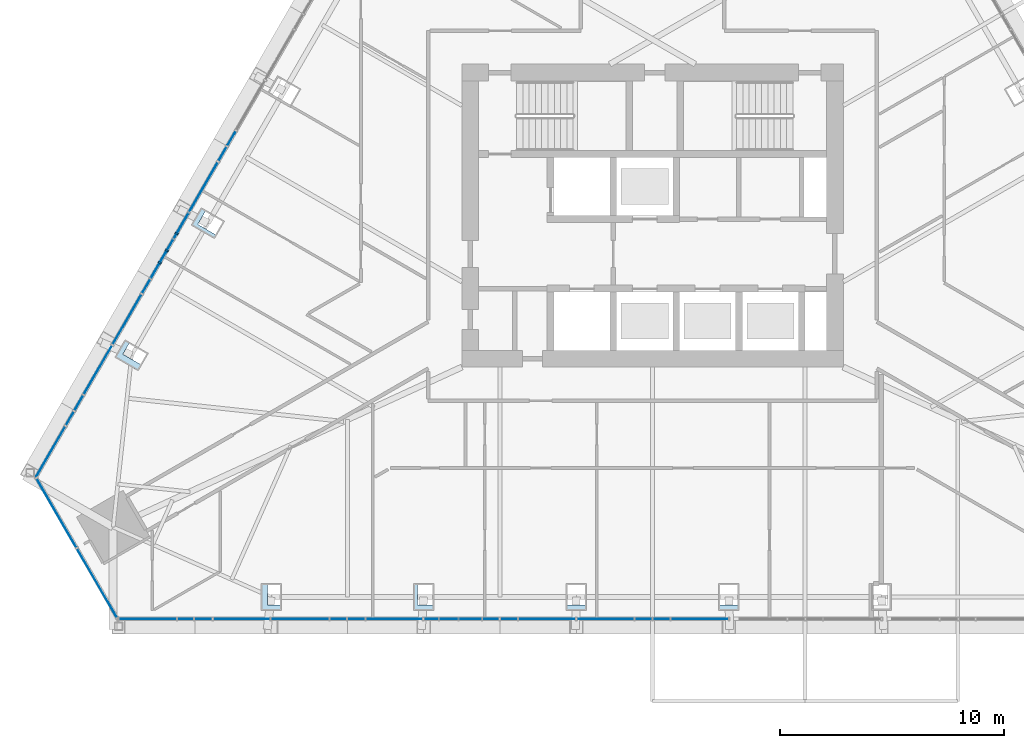
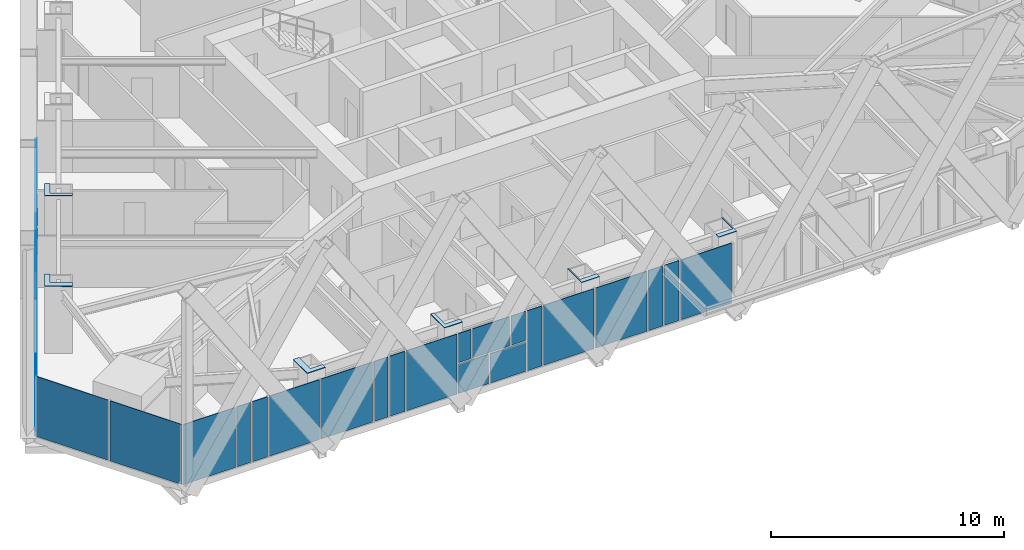
# One storey, part 13 of 24: 43 plates, 3 members, 3 elements without a shape of their own.
"""IFC4 building model written with IfcOpenShell, lengths in metres."""

from ifc_helpers import new_model, si_unit, direction, frame, origin, origin_2d, place, context, subcontext, project, spatial, polyline, rectangle, outline, extrude, material, layer, layer_set, material_profile, profile_set, type_object, element, aggregate, save


model = new_model("IFC4")

# Units and contexts
model_context = context("Model", 3, precision=1e-05, world=origin(), true_north=direction((0.0, 1.0)))
body_context = subcontext(model_context, "Body", "Model", "MODEL_VIEW")
ifc_project = project(units=[si_unit("LENGTHUNIT", "METRE"), si_unit("AREAUNIT", "SQUARE_METRE"), si_unit("VOLUMEUNIT", "CUBIC_METRE"), si_unit("PLANEANGLEUNIT", "RADIAN"), si_unit("MASSUNIT", "GRAM", prefix="KILO")], contexts=[model_context])

# Site, building, storey
site_placement = place(None, origin())
site = spatial("IfcSite", under=ifc_project, at=site_placement, CompositionType="ELEMENT")
building_placement = place(site_placement, origin())
building = spatial("IfcBuilding", under=site, at=building_placement, Name="Firuza Gate Tower and Library", CompositionType="ELEMENT")
storey_placement = place(building_placement, frame((0.0, 0.0, 260.10009765625)))
storey = spatial("IfcBuildingStorey", under=building, at=storey_placement, Name="L61", CompositionType="ELEMENT", Elevation=260.10009765625)

# Curtain wall, members
ifc_material_1 = material(Name="Aluminium 6063-T6", Category="aluminium")
ifc_layer_1 = layer(ifc_material_1, 0.14990234375)
ifc_layer_set_1 = layer_set([ifc_layer_1], Name="Unitised curtain wall, residences")
curtain_wall_type_1 = type_object("IfcCurtainWallType", Name="Unitised curtain wall, residences", PredefinedType="NOTDEFINED", material=ifc_layer_set_1)
placement_1 = place(storey_placement, origin())
curtain_wall_1 = element("IfcCurtainWall", 1, at=placement_1, inside=storey, type_object=curtain_wall_type_1, Name="CW3 L61 W face", PredefinedType="NOTDEFINED")
ifc_material_2 = material(Name="Aluminium 6063-T6", Category="aluminium")
ifc_material_profile = material_profile(ifc_material_2, rectangle(XDim=0.14990234375, YDim=0.080078125, at=origin_2d()))
ifc_profile_set = profile_set([ifc_material_profile], Name="Aluminium 6063-T6")
member_type = type_object("IfcMemberType", Name="Curtain wall mullion 80x150", PredefinedType="MULLION", material=ifc_profile_set)
member_1_placement = place(storey_placement, frame((53.347900390625, 73.443359375, 1.489990234375), z_axis=(0.0, 0.0, 1.0), x_axis=(0.866025403784, -0.5, 0.0)))
member_1 = element("IfcMember", 2, at=member_1_placement, type_object=member_type, Name="Mullion", PredefinedType="MULLION", context=body_context, shape_type="SweptSolid", body=[
    extrude(rectangle(XDim=0.14990234375, YDim=0.080078125, at=origin_2d()), origin(), (0.0, 0.0, 1.0), 0.844970703125),
])
member_2_placement = place(storey_placement, frame((53.783935546875, 74.198486328125, 2.414794921875), z_axis=(0.0, 0.0, 1.0), x_axis=(0.866025403784, -0.5, 0.0)))
member_2 = element("IfcMember", 3, at=member_2_placement, type_object=member_type, Name="Mullion", PredefinedType="MULLION", context=body_context, shape_type="SweptSolid", body=[
    extrude(rectangle(XDim=0.14990234375, YDim=0.080078125, at=origin_2d()), origin(), (0.0, 0.0, 1.0), 0.885009765625),
])
member_3_placement = place(storey_placement, frame((53.035400390625, 72.902099609375, 2.414794921875), z_axis=(0.0, 0.0, 1.0), x_axis=(0.866025403784, -0.5, 0.0)))
member_3 = element("IfcMember", 4, at=member_3_placement, type_object=member_type, Name="Mullion", PredefinedType="MULLION", context=body_context, shape_type="SweptSolid", body=[
    extrude(rectangle(XDim=0.14990234375, YDim=0.080078125, at=origin_2d()), origin(), (0.0, 0.0, 1.0), 0.885009765625),
])

# Plates
ifc_material_3 = material(Name="Steel S355", Category="steel")
ifc_layer_2 = layer(ifc_material_3, 0.030029296875)
ifc_layer_set_2 = layer_set([ifc_layer_2], Name="Column infill plate 30 Steel S355")
plate_type_1 = type_object("IfcPlateType", Name="Column infill plate 30 Steel S355", PredefinedType="SHEET", material=ifc_layer_set_2)
placement_2 = place(storey_placement, frame((0.0, 0.0, 3.5)))
element("IfcPlate", 5, at=placement_2, inside=storey, type_object=plate_type_1, Name="Infill plate L61:S1", PredefinedType="SHEET", context=body_context, shape_type="SweptSolid", body=[
    extrude(outline(polyline([(58.449951171875, 57.402099609375), (58.449951171875, 57.63916015625), (57.84326171875, 57.63916015625), (57.84326171875, 58.60205078125), (57.550048828125, 58.60205078125), (57.550048828125, 57.402099609375), (58.449951171875, 57.402099609375)])), origin(), (0.0, 0.0, 1.0), 0.02978515625),
])
element("IfcPlate", 6, at=placement_2, inside=storey, type_object=plate_type_1, Name="Infill plate L61:S2", PredefinedType="SHEET", context=body_context, shape_type="SweptSolid", body=[
    extrude(outline(polyline([(65.25, 57.402099609375), (65.25, 57.63916015625), (64.52587890625, 57.63916015625), (64.52587890625, 58.60205078125), (64.35009765625, 58.60205078125), (64.35009765625, 57.402099609375), (65.25, 57.402099609375)])), origin(), (0.0, 0.0, 1.0), 0.02978515625),
])
element("IfcPlate", 7, at=placement_2, inside=storey, type_object=plate_type_1, Name="Infill plate L61:S3", PredefinedType="SHEET", context=body_context, shape_type="SweptSolid", body=[
    extrude(outline(polyline([(72.050048828125, 57.402099609375), (72.050048828125, 57.63916015625), (71.208740234375, 57.63916015625), (71.208740234375, 58.60205078125), (71.14990234375, 58.60205078125), (71.14990234375, 57.402099609375), (72.050048828125, 57.402099609375)])), origin(), (0.0, 0.0, 1.0), 0.02978515625),
])
element("IfcPlate", 8, at=placement_2, inside=storey, type_object=plate_type_1, Name="Infill plate L61:S4", PredefinedType="SHEET", context=body_context, shape_type="SweptSolid", body=[
    extrude(outline(polyline([(78.85009765625, 58.60205078125), (78.791259765625, 58.60205078125), (78.791259765625, 57.63916015625), (77.949951171875, 57.63916015625), (77.949951171875, 57.402099609375), (78.85009765625, 57.402099609375), (78.85009765625, 58.60205078125)])), origin(), (0.0, 0.0, 1.0), 0.02978515625),
])
element("IfcPlate", 9, at=placement_2, inside=storey, type_object=plate_type_1, Name="Infill plate L61:W5", PredefinedType="SHEET", context=body_context, shape_type="SweptSolid", body=[
    extrude(outline(polyline([(55.47412109375, 73.975830078125), (55.56201171875, 74.128173828125), (54.72802734375, 74.609619140625), (55.090087890625, 75.236572265625), (54.884765625, 75.355224609375), (54.434814453125, 74.57568359375), (55.47412109375, 73.975830078125)])), origin(), (0.0, 0.0, 1.0), 0.02978515625),
])
element("IfcPlate", 10, at=placement_2, inside=storey, type_object=plate_type_1, Name="Infill plate L61:W6", PredefinedType="SHEET", context=body_context, shape_type="SweptSolid", body=[
    extrude(outline(polyline([(52.073974609375, 68.086669921875), (52.220703125, 68.3408203125), (51.38671875, 68.822265625), (51.690185546875, 69.34765625), (51.48486328125, 69.46630859375), (51.034912109375, 68.686767578125), (52.073974609375, 68.086669921875)])), origin(), (0.0, 0.0, 1.0), 0.02978515625),
])

# Curtain wall, plates
ifc_material_4 = material(Name="Aluminium 6063-T6", Category="aluminium")
ifc_layer_3 = layer(ifc_material_4, 0.14990234375)
ifc_layer_set_3 = layer_set([ifc_layer_3], Name="Corner curtain wall, chamfers")
curtain_wall_type_2 = type_object("IfcCurtainWallType", Name="Corner curtain wall, chamfers", PredefinedType="NOTDEFINED", material=ifc_layer_set_3)
curtain_wall_2 = element("IfcCurtainWall", 11, at=placement_1, inside=storey, type_object=curtain_wall_type_2, Name="CW4 L61 SW corner", PredefinedType="NOTDEFINED")
ifc_material_5 = material(Name="Fritted glass", Category="glass")
ifc_layer_4 = layer(ifc_material_5, 0.030029296875)
ifc_layer_set_4 = layer_set([ifc_layer_4], Name="Fritted glass unit, corners")
plate_type_2 = type_object("IfcPlateType", Name="Fritted glass unit, corners", PredefinedType="CURTAIN_PANEL", material=ifc_layer_set_4)
plate_7_placement = place(storey_placement, frame((47.5205078125, 63.29541015625, 0.14990234375), z_axis=(-0.866046390552, -0.49996364809, 0.0), x_axis=(0.49996364809, -0.866046390552, 0.0)))
plate_7 = element("IfcPlate", 12, at=plate_7_placement, type_object=plate_type_2, Name="Glass unit", PredefinedType="CURTAIN_PANEL", context=body_context, shape_type="SweptSolid", body=[
    extrude(outline(polyline([(0.0, 0.0), (3.563247342942594, 0.0), (3.563247342942594, 3.14990234375), (0.0, 3.14990234375), (0.0, 0.0)])), origin(), (0.0, 0.0, -1.0), 0.030029296875),
])
plate_8_placement = place(storey_placement, frame((49.342041015625, 60.14013671875, 0.14990234375), z_axis=(-0.866016723041, -0.500015035186, 0.0), x_axis=(0.500015035186, -0.866016723041, 0.0)))
plate_8 = element("IfcPlate", 13, at=plate_8_placement, type_object=plate_type_2, Name="Glass unit", PredefinedType="CURTAIN_PANEL", context=body_context, shape_type="SweptSolid", body=[
    extrude(outline(polyline([(0.0, 0.0), (3.5633694106530625, 0.0), (3.5633694106530625, 3.14990234375), (0.0, 3.14990234375), (0.0, 0.0)])), origin(), (0.0, 0.0, -1.0), 0.030029296875),
])
aggregate(curtain_wall_2, [plate_7, plate_8])

curtain_wall_3 = element("IfcCurtainWall", 14, at=placement_1, inside=storey, type_object=curtain_wall_type_1, Name="CW3 L61 S face", PredefinedType="NOTDEFINED")
ifc_material_6 = material(Name="Fritted glass", Category="glass")
ifc_layer_5 = layer(ifc_material_6, 0.030029296875)
ifc_layer_set_5 = layer_set([ifc_layer_5], Name="Fritted glass unit, residences")
plate_type_3 = type_object("IfcPlateType", Name="Fritted glass unit, residences", PredefinedType="CURTAIN_PANEL", material=ifc_layer_set_5)
plate_9_placement = place(storey_placement, frame((53.839111328125, 57.01220703125, 0.14990234375), z_axis=(0.0, -1.0, 0.0), x_axis=(1.0, 0.0, 0.0)))
plate_9 = element("IfcPlate", 15, at=plate_9_placement, type_object=plate_type_3, Name="Glass unit", PredefinedType="CURTAIN_PANEL", context=body_context, shape_type="SweptSolid", body=[
    extrude(outline(polyline([(0.0, 0.0), (0.683837890625, 0.0), (0.683837890625, 3.14990234375), (0.0, 3.14990234375), (0.0, 0.0)])), origin(), (0.0, 0.0, -1.0), 0.030029296875),
])
plate_10_placement = place(storey_placement, frame((54.602783203125, 57.01220703125, 0.14990234375), z_axis=(0.0, -1.0, 0.0), x_axis=(1.0, 0.0, 0.0)))
plate_10 = element("IfcPlate", 16, at=plate_10_placement, type_object=plate_type_3, Name="Glass unit", PredefinedType="CURTAIN_PANEL", context=body_context, shape_type="SweptSolid", body=[
    extrude(outline(polyline([(0.0, 0.0), (0.758056640625, 0.0), (0.758056640625, 3.14990234375), (0.0, 3.14990234375), (0.0, 0.0)])), origin(), (0.0, 0.0, -1.0), 0.030029296875),
])
plate_11_placement = place(storey_placement, frame((60.63916015625, 57.01220703125, 0.14990234375), z_axis=(0.0, -1.0, 0.0), x_axis=(1.0, 0.0, 0.0)))
plate_11 = element("IfcPlate", 17, at=plate_11_placement, type_object=plate_type_3, Name="Glass unit", PredefinedType="CURTAIN_PANEL", context=body_context, shape_type="SweptSolid", body=[
    extrude(outline(polyline([(0.0, 0.0), (0.696044921875, 0.0), (0.696044921875, 3.14990234375), (0.0, 3.14990234375), (0.0, 0.0)])), origin(), (0.0, 0.0, -1.0), 0.030029296875),
])
plate_12_placement = place(storey_placement, frame((61.415283203125, 57.01220703125, 0.14990234375), z_axis=(0.0, -1.0, 0.0), x_axis=(1.0, 0.0, 0.0)))
plate_12 = element("IfcPlate", 18, at=plate_12_placement, type_object=plate_type_3, Name="Glass unit", PredefinedType="CURTAIN_PANEL", context=body_context, shape_type="SweptSolid", body=[
    extrude(outline(polyline([(0.0, 0.0), (0.74560546875, 0.0), (0.74560546875, 3.14990234375), (0.0, 3.14990234375), (0.0, 0.0)])), origin(), (0.0, 0.0, -1.0), 0.030029296875),
])
plate_13_placement = place(storey_placement, frame((66.393310546875, 57.01220703125, 0.14990234375), z_axis=(0.0, -1.0, 0.0), x_axis=(1.0, 0.0, 0.0)))
plate_13 = element("IfcPlate", 19, at=plate_13_placement, type_object=plate_type_3, Name="Glass unit", PredefinedType="CURTAIN_PANEL", context=body_context, shape_type="SweptSolid", body=[
    extrude(outline(polyline([(0.0, 0.0), (1.75439453125, 0.0), (1.75439453125, 1.534912109375), (0.0, 1.534912109375), (0.0, 0.0)])), origin(), (0.0, 0.0, -1.0), 0.030029296875),
])
plate_14_placement = place(storey_placement, frame((64.821533203125, 57.01220703125, 1.764892578125), z_axis=(0.0, -1.0, 0.0), x_axis=(1.0, 0.0, 0.0)))
plate_14 = element("IfcPlate", 20, at=plate_14_placement, type_object=plate_type_3, Name="Glass unit", PredefinedType="CURTAIN_PANEL", context=body_context, shape_type="SweptSolid", body=[
    extrude(outline(polyline([(0.0, 0.0), (0.61962890625, 0.0), (0.61962890625, 1.534912109375), (0.0, 1.534912109375), (0.0, 0.0)])), origin(), (0.0, 0.0, -1.0), 0.030029296875),
])
plate_15_placement = place(storey_placement, frame((67.439208984375, 57.01220703125, 1.764892578125), z_axis=(0.0, -1.0, 0.0), x_axis=(1.0, 0.0, 0.0)))
plate_15 = element("IfcPlate", 21, at=plate_15_placement, type_object=plate_type_3, Name="Glass unit", PredefinedType="CURTAIN_PANEL", context=body_context, shape_type="SweptSolid", body=[
    extrude(outline(polyline([(0.0, 0.0), (0.70849609375, 0.0), (0.70849609375, 1.534912109375), (0.0, 1.534912109375), (0.0, 0.0)])), origin(), (0.0, 0.0, -1.0), 0.030029296875),
])
plate_16_placement = place(storey_placement, frame((68.2275390625, 57.01220703125, 0.14990234375), z_axis=(0.0, -1.0, 0.0), x_axis=(1.0, 0.0, 0.0)))
plate_16 = element("IfcPlate", 22, at=plate_16_placement, type_object=plate_type_3, Name="Glass unit", PredefinedType="CURTAIN_PANEL", context=body_context, shape_type="SweptSolid", body=[
    extrude(outline(polyline([(0.0, 0.0), (0.7333984375, 0.0), (0.7333984375, 3.14990234375), (0.0, 3.14990234375), (0.0, 0.0)])), origin(), (0.0, 0.0, -1.0), 0.030029296875),
])
plate_17_placement = place(storey_placement, frame((74.239013671875, 57.01220703125, 0.14990234375), z_axis=(0.0, -1.0, 0.0), x_axis=(1.0, 0.0, 0.0)))
plate_17 = element("IfcPlate", 23, at=plate_17_placement, type_object=plate_type_3, Name="Glass unit", PredefinedType="CURTAIN_PANEL", context=body_context, shape_type="SweptSolid", body=[
    extrude(outline(polyline([(0.0, 0.0), (0.720947265625, 0.0), (0.720947265625, 3.14990234375), (0.0, 3.14990234375), (0.0, 0.0)])), origin(), (0.0, 0.0, -1.0), 0.030029296875),
])
plate_18_placement = place(storey_placement, frame((75.0400390625, 57.01220703125, 0.14990234375), z_axis=(0.0, -1.0, 0.0), x_axis=(1.0, 0.0, 0.0)))
plate_18 = element("IfcPlate", 24, at=plate_18_placement, type_object=plate_type_3, Name="Glass unit", PredefinedType="CURTAIN_PANEL", context=body_context, shape_type="SweptSolid", body=[
    extrude(outline(polyline([(0.0, 0.0), (0.720947265625, 0.0), (0.720947265625, 3.14990234375), (0.0, 3.14990234375), (0.0, 0.0)])), origin(), (0.0, 0.0, -1.0), 0.030029296875),
])

# Plate
plate_19_placement = place(storey_placement, frame((56.402587890625, 78.763916015625, 0.14990234375), z_axis=(-0.86598042715, 0.500077893725, 0.0), x_axis=(-0.500077893725, -0.86598042715, 0.0)))
plate_19 = element("IfcPlate", 25, at=plate_19_placement, type_object=plate_type_3, Name="Glass unit", PredefinedType="CURTAIN_PANEL", context=body_context, shape_type="SweptSolid", body=[
    extrude(outline(polyline([(0.0, 0.0), (0.733284201023708, 0.0), (0.733284201023708, 3.14990234375), (0.0, 3.14990234375), (0.0, 0.0)])), origin(), (0.0, 0.0, -1.0), 0.030029296875),
])

plate_20_placement = place(storey_placement, frame((55.995849609375, 78.0595703125, 0.14990234375), z_axis=(-0.866007679738, 0.500030697692, 0.0), x_axis=(-0.500030697692, -0.866007679738, 0.0)))
plate_20 = element("IfcPlate", 26, at=plate_20_placement, type_object=plate_type_3, Name="Glass unit", PredefinedType="CURTAIN_PANEL", context=body_context, shape_type="SweptSolid", body=[
    extrude(outline(polyline([(0.0, 0.0), (0.7084525980306029, 0.0), (0.7084525980306029, 3.14990234375), (0.0, 3.14990234375), (0.0, 0.0)])), origin(), (0.0, 0.0, -1.0), 0.030029296875),
])

plate_21_placement = place(storey_placement, frame((53.614501953125, 73.934814453125, 0.14990234375), z_axis=(-0.865991530765, 0.500058665202, 0.0), x_axis=(-0.500058665202, -0.865991530765, 0.0)))
plate_21 = element("IfcPlate", 27, at=plate_21_placement, type_object=plate_type_3, Name="Glass unit", PredefinedType="CURTAIN_PANEL", context=body_context, shape_type="SweptSolid", body=[
    extrude(outline(polyline([(0.0, 0.0), (1.9694954807978253, 0.0), (1.9694954807978253, 1.260009765625), (0.0, 1.260009765625), (0.0, 0.0)])), origin(), (0.0, 0.0, -1.0), 0.030029296875),
])

plate_22_placement = place(storey_placement, frame((53.31494140625, 73.416259765625, 1.489990234375), z_axis=(-0.866031343357, 0.499989712218, 0.0), x_axis=(-0.499989712218, -0.866031343357, 0.0)))
plate_22 = element("IfcPlate", 28, at=plate_22_placement, type_object=plate_type_3, Name="Glass unit", PredefinedType="CURTAIN_PANEL", context=body_context, shape_type="SweptSolid", body=[
    extrude(outline(polyline([(0.0, 0.0), (1.3706336703115394, 0.0), (1.3706336703115394, 0.8449707031250002), (0.0, 0.8449707031250002), (0.0, 0.0)])), origin(), (0.0, 0.0, -1.0), 0.030029296875),
])

plate_23_placement = place(storey_placement, frame((54.292724609375, 75.10986328125, 2.414794921875), z_axis=(-0.866064057238, 0.499933044277, 0.0), x_axis=(-0.499933044277, -0.866064057238, 0.0)))
plate_23 = element("IfcPlate", 29, at=plate_23_placement, type_object=plate_type_3, Name="Glass unit", PredefinedType="CURTAIN_PANEL", context=body_context, shape_type="SweptSolid", body=[
    extrude(outline(polyline([(0.0, 0.0), (1.0035523558977801, 0.0), (1.0035523558977801, 0.885009765625), (0.0, 0.885009765625), (0.0, 0.0)])), origin(), (0.0, 0.0, -1.0), 0.030029296875),
])

plate_24_placement = place(storey_placement, frame((53.00244140625, 72.875, 2.414794921875), z_axis=(-0.866038370891, 0.499977539641, 0.0), x_axis=(-0.499977539641, -0.866038370891, 0.0)))
plate_24 = element("IfcPlate", 30, at=plate_24_placement, type_object=plate_type_3, Name="Glass unit", PredefinedType="CURTAIN_PANEL", context=body_context, shape_type="SweptSolid", body=[
    extrude(outline(polyline([(0.0, 0.0), (0.7456389633879315, 0.0), (0.7456389633879315, 0.885009765625), (0.0, 0.885009765625), (0.0, 0.0)])), origin(), (0.0, 0.0, -1.0), 0.030029296875),
])

plate_25_placement = place(storey_placement, frame((52.589599609375, 72.159912109375, 0.14990234375), z_axis=(-0.86609797283, 0.499874285655, 0.0), x_axis=(-0.499874285655, -0.86609797283, 0.0)))
plate_25 = element("IfcPlate", 31, at=plate_25_placement, type_object=plate_type_3, Name="Glass unit", PredefinedType="CURTAIN_PANEL", context=body_context, shape_type="SweptSolid", body=[
    extrude(outline(polyline([(0.0, 0.0), (0.6959757695255364, 0.0), (0.6959757695255364, 3.14990234375), (0.0, 3.14990234375), (0.0, 0.0)])), origin(), (0.0, 0.0, -1.0), 0.030029296875),
])

plate_26_placement = place(storey_placement, frame((49.6025390625, 66.98583984375, 0.14990234375), z_axis=(-0.865874375508, 0.500261497457, 0.0), x_axis=(-0.500261497457, -0.865874375508, 0.0)))
plate_26 = element("IfcPlate", 32, at=plate_26_placement, type_object=plate_type_3, Name="Glass unit", PredefinedType="CURTAIN_PANEL", context=body_context, shape_type="SweptSolid", body=[
    extrude(outline(polyline([(0.0, 0.0), (0.7579044011028635, 0.0), (0.7579044011028635, 3.14990234375), (0.0, 3.14990234375), (0.0, 0.0)])), origin(), (0.0, 0.0, -1.0), 0.030029296875),
])

plate_27_placement = place(storey_placement, frame((49.18359375, 66.26025390625, 0.14990234375), z_axis=(-0.86597157169, 0.500093228334, 0.0), x_axis=(-0.500093228334, -0.86597157169, 0.0)))
plate_27 = element("IfcPlate", 33, at=plate_27_placement, type_object=plate_type_3, Name="Glass unit", PredefinedType="CURTAIN_PANEL", context=body_context, shape_type="SweptSolid", body=[
    extrude(outline(polyline([(0.0, 0.0), (0.6839545033727525, 0.0), (0.6839545033727525, 3.14990234375), (0.0, 3.14990234375), (0.0, 0.0)])), origin(), (0.0, 0.0, -1.0), 0.030029296875),
])

ifc_material_7 = material(Name="Glazed ceramic tile")
ifc_layer_6 = layer(ifc_material_7, 0.030029296875)
ifc_layer_set_6 = layer_set([ifc_layer_6], Name="Opaque ceramic panel, residences")
plate_type_4 = type_object("IfcPlateType", Name="Opaque ceramic panel, residences", PredefinedType="CURTAIN_PANEL", material=ifc_layer_set_6)
plate_28_placement = place(storey_placement, frame((51.19677734375, 57.01220703125, 0.14990234375), z_axis=(0.0, -1.0, 0.0), x_axis=(1.0, 0.0, 0.0)))
plate_28 = element("IfcPlate", 34, at=plate_28_placement, type_object=plate_type_4, Name="Opaque ceramic panel", PredefinedType="CURTAIN_PANEL", context=body_context, shape_type="SweptSolid", body=[
    extrude(outline(polyline([(0.0, 0.0), (2.562255859375, 0.0), (2.562255859375, 3.14990234375), (0.0, 3.14990234375), (0.0, 0.0)])), origin(), (0.0, 0.0, -1.0), 0.030029296875),
])

plate_29_placement = place(storey_placement, frame((55.44091796875, 57.01220703125, 0.14990234375), z_axis=(0.0, -1.0, 0.0), x_axis=(1.0, 0.0, 0.0)))
plate_29 = element("IfcPlate", 35, at=plate_29_placement, type_object=plate_type_4, Name="Opaque ceramic panel", PredefinedType="CURTAIN_PANEL", context=body_context, shape_type="SweptSolid", body=[
    extrude(outline(polyline([(0.0, 0.0), (2.488037109375, 0.0), (2.488037109375, 3.14990234375), (0.0, 3.14990234375), (0.0, 0.0)])), origin(), (0.0, 0.0, -1.0), 0.030029296875),
])

plate_30_placement = place(storey_placement, frame((58.009033203125, 57.01220703125, 0.14990234375), z_axis=(0.0, -1.0, 0.0), x_axis=(1.0, 0.0, 0.0)))
plate_30 = element("IfcPlate", 36, at=plate_30_placement, type_object=plate_type_4, Name="Opaque ceramic panel", PredefinedType="CURTAIN_PANEL", context=body_context, shape_type="SweptSolid", body=[
    extrude(outline(polyline([(0.0, 0.0), (2.550048828125, 0.0), (2.550048828125, 3.14990234375), (0.0, 3.14990234375), (0.0, 0.0)])), origin(), (0.0, 0.0, -1.0), 0.030029296875),
])

plate_31_placement = place(storey_placement, frame((62.240966796875, 57.01220703125, 0.14990234375), z_axis=(0.0, -1.0, 0.0), x_axis=(1.0, 0.0, 0.0)))
plate_31 = element("IfcPlate", 37, at=plate_31_placement, type_object=plate_type_4, Name="Opaque ceramic panel", PredefinedType="CURTAIN_PANEL", context=body_context, shape_type="SweptSolid", body=[
    extrude(outline(polyline([(0.0, 0.0), (2.50048828125, 0.0), (2.50048828125, 3.14990234375), (0.0, 3.14990234375), (0.0, 0.0)])), origin(), (0.0, 0.0, -1.0), 0.030029296875),
])

plate_32_placement = place(storey_placement, frame((64.821533203125, 57.01220703125, 0.14990234375), z_axis=(0.0, -1.0, 0.0), x_axis=(1.0, 0.0, 0.0)))
plate_32 = element("IfcPlate", 38, at=plate_32_placement, type_object=plate_type_4, Name="Opaque ceramic panel", PredefinedType="CURTAIN_PANEL", context=body_context, shape_type="SweptSolid", body=[
    extrude(outline(polyline([(0.0, 0.0), (1.49169921875, 0.0), (1.49169921875, 1.534912109375), (0.0, 1.534912109375), (0.0, 0.0)])), origin(), (0.0, 0.0, -1.0), 0.030029296875),
])

plate_33_placement = place(storey_placement, frame((65.52099609375, 57.01220703125, 1.764892578125), z_axis=(0.0, -1.0, 0.0), x_axis=(1.0, 0.0, 0.0)))
plate_33 = element("IfcPlate", 39, at=plate_33_placement, type_object=plate_type_4, Name="Opaque ceramic panel", PredefinedType="CURTAIN_PANEL", context=body_context, shape_type="SweptSolid", body=[
    extrude(outline(polyline([(0.0, 0.0), (1.838134765625, 0.0), (1.838134765625, 1.534912109375), (0.0, 1.534912109375), (0.0, 0.0)])), origin(), (0.0, 0.0, -1.0), 0.030029296875),
])

plate_34_placement = place(storey_placement, frame((69.040771484375, 57.01220703125, 0.14990234375), z_axis=(0.0, -1.0, 0.0), x_axis=(1.0, 0.0, 0.0)))
plate_34 = element("IfcPlate", 40, at=plate_34_placement, type_object=plate_type_4, Name="Opaque ceramic panel", PredefinedType="CURTAIN_PANEL", context=body_context, shape_type="SweptSolid", body=[
    extrude(outline(polyline([(0.0, 0.0), (2.512939453125, 0.0), (2.512939453125, 3.14990234375), (0.0, 3.14990234375), (0.0, 0.0)])), origin(), (0.0, 0.0, -1.0), 0.030029296875),
])

plate_35_placement = place(storey_placement, frame((71.6337890625, 57.01220703125, 0.14990234375), z_axis=(0.0, -1.0, 0.0), x_axis=(1.0, 0.0, 0.0)))
plate_35 = element("IfcPlate", 41, at=plate_35_placement, type_object=plate_type_4, Name="Opaque ceramic panel", PredefinedType="CURTAIN_PANEL", context=body_context, shape_type="SweptSolid", body=[
    extrude(outline(polyline([(0.0, 0.0), (2.525390625, 0.0), (2.525390625, 3.14990234375), (0.0, 3.14990234375), (0.0, 0.0)])), origin(), (0.0, 0.0, -1.0), 0.030029296875),
])

plate_36_placement = place(storey_placement, frame((75.8408203125, 57.01220703125, 0.14990234375), z_axis=(0.0, -1.0, 0.0), x_axis=(1.0, 0.0, 0.0)))
plate_36 = element("IfcPlate", 42, at=plate_36_placement, type_object=plate_type_4, Name="Opaque ceramic panel", PredefinedType="CURTAIN_PANEL", context=body_context, shape_type="SweptSolid", body=[
    extrude(outline(polyline([(0.0, 0.0), (2.525390625, 0.0), (2.525390625, 3.14990234375), (0.0, 3.14990234375), (0.0, 0.0)])), origin(), (0.0, 0.0, -1.0), 0.030029296875),
])

aggregate(curtain_wall_3, [plate_28, plate_9, plate_10, plate_29, plate_30, plate_11, plate_12, plate_31, plate_32, plate_13, plate_14, plate_33, plate_15, plate_16, plate_34, plate_35, plate_17, plate_18, plate_36])

plate_37_placement = place(storey_placement, frame((55.6015625, 77.376708984375, 0.14990234375), z_axis=(-0.866038197649, 0.499977839722, 0.0), x_axis=(-0.499977839722, -0.866038197649, 0.0)))
plate_37 = element("IfcPlate", 43, at=plate_37_placement, type_object=plate_type_4, Name="Opaque ceramic panel", PredefinedType="CURTAIN_PANEL", context=body_context, shape_type="SweptSolid", body=[
    extrude(outline(polyline([(0.0, 0.0), (2.53771012897228, 0.0), (2.53771012897228, 3.14990234375), (0.0, 3.14990234375), (0.0, 0.0)])), origin(), (0.0, 0.0, -1.0), 0.030029296875),
])

plate_38_placement = place(storey_placement, frame((54.292724609375, 75.10986328125, 0.14990234375), z_axis=(-0.866093244675, 0.499882477717, 0.0), x_axis=(-0.499882477717, -0.866093244675, 0.0)))
plate_38 = element("IfcPlate", 44, at=plate_38_placement, type_object=plate_type_4, Name="Opaque ceramic panel", PredefinedType="CURTAIN_PANEL", context=body_context, shape_type="SweptSolid", body=[
    extrude(outline(polyline([(0.0, 0.0), (1.2766672612023693, 0.0), (1.2766672612023693, 1.2600097656250002), (0.0, 1.2600097656250002), (0.0, 0.0)])), origin(), (0.0, 0.0, -1.0), 0.030029296875),
])

plate_39_placement = place(storey_placement, frame((54.292724609375, 75.10986328125, 1.489990234375), z_axis=(-0.866064215538, 0.499932770045, 0.0), x_axis=(-0.499932770045, -0.866064215538, 0.0)))
plate_39 = element("IfcPlate", 45, at=plate_39_placement, type_object=plate_type_4, Name="Opaque ceramic panel", PredefinedType="CURTAIN_PANEL", context=body_context, shape_type="SweptSolid", body=[
    extrude(outline(polyline([(0.0, 0.0), (1.8757404931473327, 0.0), (1.8757404931473327, 0.844970703125), (0.0, 0.844970703125), (0.0, 0.0)])), origin(), (0.0, 0.0, -1.0), 0.030029296875),
])

plate_40_placement = place(storey_placement, frame((53.7509765625, 74.17138671875, 2.414794921875), z_axis=(-0.866050751773, 0.499956093425, 0.0), x_axis=(-0.499956093425, -0.866050751773, 0.0)))
plate_40 = element("IfcPlate", 46, at=plate_40_placement, type_object=plate_type_4, Name="Opaque ceramic panel", PredefinedType="CURTAIN_PANEL", context=body_context, shape_type="SweptSolid", body=[
    extrude(outline(polyline([(0.0, 0.0), (1.417116628975601, 0.0), (1.417116628975601, 0.8850097656250002), (0.0, 0.8850097656250002), (0.0, 0.0)])), origin(), (0.0, 0.0, -1.0), 0.030029296875),
])

plate_41_placement = place(storey_placement, frame((52.20166015625, 71.48779296875, 0.14990234375), z_axis=(-0.866013403995, 0.500020783669, 0.0), x_axis=(-0.500020783669, -0.866013403995, 0.0)))
plate_41 = element("IfcPlate", 47, at=plate_41_placement, type_object=plate_type_4, Name="Opaque ceramic panel", PredefinedType="CURTAIN_PANEL", context=body_context, shape_type="SweptSolid", body=[
    extrude(outline(polyline([(0.0, 0.0), (2.550186964268097, 0.0), (2.550186964268097, 3.14990234375), (0.0, 3.14990234375), (0.0, 0.0)])), origin(), (0.0, 0.0, -1.0), 0.030029296875),
])

plate_42_placement = place(storey_placement, frame((50.886474609375, 69.2099609375, 0.14990234375), z_axis=(-0.866054867757, 0.499948963429, 0.0), x_axis=(-0.499948963429, -0.866054867757, 0.0)))
plate_42 = element("IfcPlate", 48, at=plate_42_placement, type_object=plate_type_4, Name="Opaque ceramic panel", PredefinedType="CURTAIN_PANEL", context=body_context, shape_type="SweptSolid", body=[
    extrude(outline(polyline([(0.0, 0.0), (2.488046931517937, 0.0), (2.488046931517937, 3.14990234375), (0.0, 3.14990234375), (0.0, 0.0)])), origin(), (0.0, 0.0, -1.0), 0.030029296875),
])

plate_43_placement = place(storey_placement, frame((48.801513671875, 65.598876953125, 0.14990234375), z_axis=(-0.866071357471, 0.499920397431, 0.0), x_axis=(-0.499920397431, -0.866071357471, 0.0)))
plate_43 = element("IfcPlate", 49, at=plate_43_placement, type_object=plate_type_4, Name="Opaque ceramic panel", PredefinedType="CURTAIN_PANEL", context=body_context, shape_type="SweptSolid", body=[
    extrude(outline(polyline([(0.0, 0.0), (2.5624196691249734, 0.0), (2.5624196691249734, 3.149902343750001), (0.0, 3.149902343750001), (0.0, 0.0)])), origin(), (0.0, 0.0, -1.0), 0.030029296875),
])

aggregate(curtain_wall_1, [plate_19, plate_20, plate_37, plate_38, plate_21, plate_39, plate_22, plate_23, plate_40, plate_24, member_1, member_2, member_3, plate_25, plate_41, plate_42, plate_26, plate_27, plate_43])

save(model, "model.ifc")
